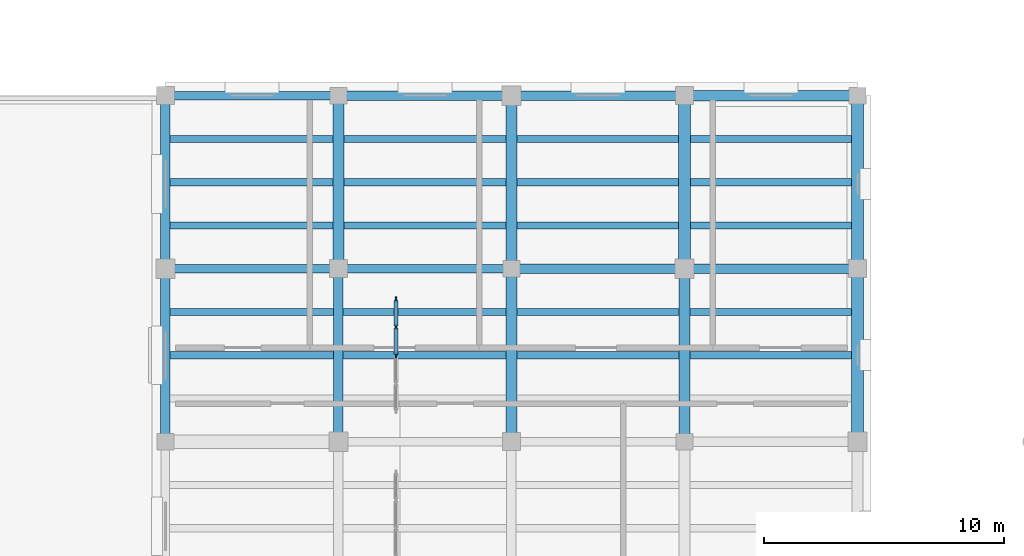
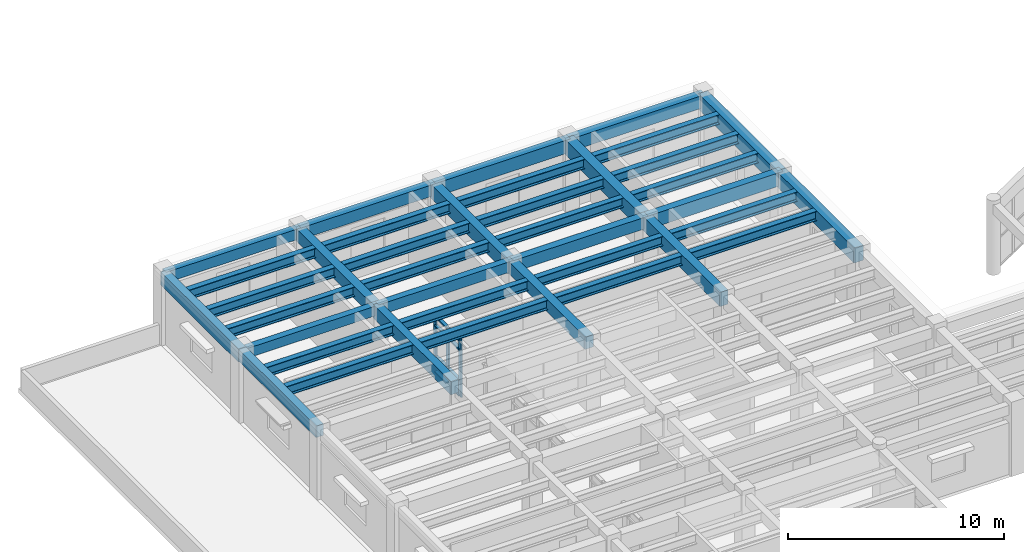
# One storey, part 17 of 76: 38 beams, 11 members, 1 element without a shape of its own.
"""IFC4 building model written with IfcOpenShell, lengths in metres."""

from ifc_helpers import new_model, si_unit, direction, frame, origin, origin_2d, place, context, subcontext, project, spatial, rectangle, i_section, extrude, material, material_profile, profile_set, type_object, element, aggregate, save


model = new_model("IFC4")

# Units and contexts
model_context = context("Model", 3, precision=1e-05, world=origin(), true_north=direction((0.0, 1.0)))
body_context = subcontext(model_context, "Body", "Model", "MODEL_VIEW")
ifc_project = project(units=[si_unit("LENGTHUNIT", "METRE"), si_unit("AREAUNIT", "SQUARE_METRE"), si_unit("VOLUMEUNIT", "CUBIC_METRE"), si_unit("PLANEANGLEUNIT", "RADIAN"), si_unit("MASSUNIT", "GRAM", prefix="KILO")], contexts=[model_context])

# Site, building, storey
site_placement = place(None, origin())
site = spatial("IfcSite", under=ifc_project, at=site_placement, CompositionType="ELEMENT")
building_placement = place(site_placement, origin())
building = spatial("IfcBuilding", under=site, at=building_placement, Name="Mithqara Police Headquarters", CompositionType="ELEMENT")
storey_placement = place(building_placement, frame((0.0, 0.0, 5.39990234375)))
storey = spatial("IfcBuildingStorey", under=building, at=storey_placement, Name="L01", CompositionType="ELEMENT", Elevation=5.39990234375)

# Beams
ifc_material_1 = material(Name="Steel S355JR", Category="steel")
ifc_material_profile_1 = material_profile(ifc_material_1, i_section(OverallWidth=0.300048828125, OverallDepth=0.550048828125, WebThickness=0.014892578125, FlangeThickness=0.029052734375, FilletRadius=0.027099609375, at=origin_2d()), Name="HEB 550")
ifc_profile_set_1 = profile_set([ifc_material_profile_1], Name="Steel S355JR")
beam_type_1 = type_object("IfcBeamType", Name="BEAM HEB550", PredefinedType="BEAM", material=ifc_profile_set_1)
for number, where, z_axis, x_axis, name in (
    (1, (8.0, 96.60009765625, 3.64501953125), (1.0, 0.0, 0.0), (0.0, 1.0, 0.0), "L01 Composite Steel Joist 2-3/P.2"),
    (2, (8.0, 98.39990234375, 3.64501953125), (1.0, 0.0, 0.0), (0.0, 1.0, 0.0), "L01 Composite Steel Joist 2-3/P.3"),
):
    element("IfcBeam", number, at=place(storey_placement, frame(where, z_axis=z_axis, x_axis=x_axis)), inside=storey, type_object=beam_type_1, Name=name, PredefinedType="BEAM", context=body_context, shape_type="SweptSolid", body=[
        extrude(i_section(OverallWidth=0.300048828125, OverallDepth=0.550048828125, WebThickness=0.014892578125, FlangeThickness=0.029052734375, FilletRadius=0.027099609375, at=origin_2d()), origin(), (0.0, 0.0, 1.0), 6.800048828125),
    ])
for number, where, z_axis, x_axis, name in (
    (3, (8.0, 102.0, 3.64501953125), (1.0, 0.0, 0.0), (0.0, 1.0, 0.0), "L01 Composite Steel Joist 2-3/Q.1"),
    (4, (8.0, 103.800048828125, 3.64501953125), (1.0, 0.0, 0.0), (0.0, 1.0, 0.0), "L01 Composite Steel Joist 2-3/Q.2"),
    (5, (8.0, 105.60009765625, 3.64501953125), (1.0, 0.0, 0.0), (0.0, 1.0, 0.0), "L01 Composite Steel Joist 2-3/Q.3"),
):
    element("IfcBeam", number, at=place(storey_placement, frame(where, z_axis=z_axis, x_axis=x_axis)), inside=storey, type_object=beam_type_1, Name=name, PredefinedType="BEAM", context=body_context, shape_type="SweptSolid", body=[
        extrude(i_section(OverallWidth=0.300048828125, OverallDepth=0.550048828125, WebThickness=0.014892578125, FlangeThickness=0.029052734375, FilletRadius=0.027099609375, at=origin_2d()), origin(), (0.0, 0.0, 1.0), 6.77490234375),
    ])
for number, where, z_axis, x_axis, name in (
    (6, (15.199951171875, 96.60009765625, 3.64501953125), (1.0, 0.0, 0.0), (0.0, 1.0, 0.0), "L01 Composite Steel Joist 3-4/P.2"),
    (7, (15.199951171875, 98.39990234375, 3.64501953125), (1.0, 0.0, 0.0), (0.0, 1.0, 0.0), "L01 Composite Steel Joist 3-4/P.3"),
):
    element("IfcBeam", number, at=place(storey_placement, frame(where, z_axis=z_axis, x_axis=x_axis)), inside=storey, type_object=beam_type_1, Name=name, PredefinedType="BEAM", context=body_context, shape_type="SweptSolid", body=[
        extrude(i_section(OverallWidth=0.300048828125, OverallDepth=0.550048828125, WebThickness=0.014892578125, FlangeThickness=0.029052734375, FilletRadius=0.027099609375, at=origin_2d()), origin(), (0.0, 0.0, 1.0), 6.775146484375),
    ])
for number, where, z_axis, x_axis, name in (
    (8, (15.22509765625, 102.0, 3.64501953125), (1.0, 0.0, 0.0), (0.0, 1.0, 0.0), "L01 Composite Steel Joist 3-4/Q.1"),
    (9, (15.22509765625, 103.800048828125, 3.64501953125), (1.0, 0.0, 0.0), (0.0, 1.0, 0.0), "L01 Composite Steel Joist 3-4/Q.2"),
    (10, (15.22509765625, 105.60009765625, 3.64501953125), (1.0, 0.0, 0.0), (0.0, 1.0, 0.0), "L01 Composite Steel Joist 3-4/Q.3"),
    (11, (22.425048828125, 96.60009765625, 3.64501953125), (1.0, 0.0, 0.0), (0.0, 1.0, 0.0), "L01 Composite Steel Joist 4-5/P.2"),
    (12, (22.425048828125, 98.39990234375, 3.64501953125), (1.0, 0.0, 0.0), (0.0, 1.0, 0.0), "L01 Composite Steel Joist 4-5/P.3"),
):
    element("IfcBeam", number, at=place(storey_placement, frame(where, z_axis=z_axis, x_axis=x_axis)), inside=storey, type_object=beam_type_1, Name=name, PredefinedType="BEAM", context=body_context, shape_type="SweptSolid", body=[
        extrude(i_section(OverallWidth=0.300048828125, OverallDepth=0.550048828125, WebThickness=0.014892578125, FlangeThickness=0.029052734375, FilletRadius=0.027099609375, at=origin_2d()), origin(), (0.0, 0.0, 1.0), 6.75),
    ])
for number, where, z_axis, x_axis, name in (
    (13, (22.425048828125, 102.0, 3.64501953125), (1.0, 0.0, 0.0), (0.0, 1.0, 0.0), "L01 Composite Steel Joist 4-5/Q.1"),
    (14, (22.425048828125, 103.800048828125, 3.64501953125), (1.0, 0.0, 0.0), (0.0, 1.0, 0.0), "L01 Composite Steel Joist 4-5/Q.2"),
    (15, (22.425048828125, 105.60009765625, 3.64501953125), (1.0, 0.0, 0.0), (0.0, 1.0, 0.0), "L01 Composite Steel Joist 4-5/Q.3"),
):
    element("IfcBeam", number, at=place(storey_placement, frame(where, z_axis=z_axis, x_axis=x_axis)), inside=storey, type_object=beam_type_1, Name=name, PredefinedType="BEAM", context=body_context, shape_type="SweptSolid", body=[
        extrude(i_section(OverallWidth=0.300048828125, OverallDepth=0.550048828125, WebThickness=0.014892578125, FlangeThickness=0.029052734375, FilletRadius=0.027099609375, at=origin_2d()), origin(), (0.0, 0.0, 1.0), 6.724853515625),
    ])
for number, where, z_axis, x_axis, name in (
    (16, (29.625, 96.60009765625, 3.64501953125), (1.0, 0.0, 0.0), (0.0, 1.0, 0.0), "L01 Composite Steel Joist 5-6/P.2"),
    (17, (29.625, 98.39990234375, 3.64501953125), (1.0, 0.0, 0.0), (0.0, 1.0, 0.0), "L01 Composite Steel Joist 5-6/P.3"),
):
    element("IfcBeam", number, at=place(storey_placement, frame(where, z_axis=z_axis, x_axis=x_axis)), inside=storey, type_object=beam_type_1, Name=name, PredefinedType="BEAM", context=body_context, shape_type="SweptSolid", body=[
        extrude(i_section(OverallWidth=0.300048828125, OverallDepth=0.550048828125, WebThickness=0.014892578125, FlangeThickness=0.029052734375, FilletRadius=0.027099609375, at=origin_2d()), origin(), (0.0, 0.0, 1.0), 6.72509765625),
    ])
for number, where, z_axis, x_axis, name in (
    (18, (29.64990234375, 102.0, 3.64501953125), (1.0, 0.0, 0.0), (0.0, 1.0, 0.0), "L01 Composite Steel Joist 5-6/Q.1"),
    (19, (29.64990234375, 103.800048828125, 3.64501953125), (1.0, 0.0, 0.0), (0.0, 1.0, 0.0), "L01 Composite Steel Joist 5-6/Q.2"),
    (20, (29.64990234375, 105.60009765625, 3.64501953125), (1.0, 0.0, 0.0), (0.0, 1.0, 0.0), "L01 Composite Steel Joist 5-6/Q.3"),
):
    element("IfcBeam", number, at=place(storey_placement, frame(where, z_axis=z_axis, x_axis=x_axis)), inside=storey, type_object=beam_type_1, Name=name, PredefinedType="BEAM", context=body_context, shape_type="SweptSolid", body=[
        extrude(i_section(OverallWidth=0.300048828125, OverallDepth=0.550048828125, WebThickness=0.014892578125, FlangeThickness=0.029052734375, FilletRadius=0.027099609375, at=origin_2d()), origin(), (0.0, 0.0, 1.0), 6.7001953125),
    ])
ifc_material_2 = material(Name="Concrete C40/50", Category="concrete")
ifc_material_profile_2 = material_profile(ifc_material_2, rectangle(XDim=0.35009765625, YDim=0.550048828125, at=origin_2d()), Name="RC 350x550")
ifc_profile_set_2 = profile_set([ifc_material_profile_2], Name="Concrete C40/50")
beam_type_2 = type_object("IfcBeamType", Name="BEAM RC350X550", PredefinedType="BEAM", material=ifc_profile_set_2)
beam_1_placement = place(storey_placement, frame((7.800048828125, 100.199951171875, 3.64501953125), z_axis=(1.0, 0.0, 0.0), x_axis=(0.0, 1.0, 0.0)))
element("IfcBeam", 21, at=beam_1_placement, inside=storey, type_object=beam_type_2, Name="L01 Girder 2-3/Q", PredefinedType="BEAM", context=body_context, shape_type="SweptSolid", body=[
    extrude(rectangle(XDim=0.35009765625, YDim=0.550048828125, at=origin_2d()), origin(), (0.0, 0.0, 1.0), 7.199951171875),
])
ifc_material_profile_3 = material_profile(ifc_material_2, rectangle(XDim=0.35009765625, YDim=0.60009765625, at=origin_2d()), Name="RC 350x600")
ifc_profile_set_3 = profile_set([ifc_material_profile_3], Name="Concrete C40/50")
beam_type_3 = type_object("IfcBeamType", Name="BEAM RC350X600", PredefinedType="BEAM", material=ifc_profile_set_3)
for number, where, z_axis, x_axis, name in (
    (22, (7.800048828125, 107.39990234375, 3.6201171875), (1.0, 0.0, 0.0), (0.0, 1.0, 0.0), "L01 Girder 2-3/R"),
    (23, (15.0, 100.199951171875, 3.6201171875), (1.0, 0.0, 0.0), (0.0, 1.0, 0.0), "L01 Girder 3-4/Q"),
):
    element("IfcBeam", number, at=place(storey_placement, frame(where, z_axis=z_axis, x_axis=x_axis)), inside=storey, type_object=beam_type_3, Name=name, PredefinedType="BEAM", context=body_context, shape_type="SweptSolid", body=[
        extrude(rectangle(XDim=0.35009765625, YDim=0.60009765625, at=origin_2d()), origin(), (0.0, 0.0, 1.0), 7.199951171875),
    ])
ifc_material_profile_4 = material_profile(ifc_material_2, rectangle(XDim=0.39990234375, YDim=0.64990234375, at=origin_2d()), Name="RC 400x650")
ifc_profile_set_4 = profile_set([ifc_material_profile_4], Name="Concrete C40/50")
beam_type_4 = type_object("IfcBeamType", Name="BEAM RC400X650", PredefinedType="BEAM", material=ifc_profile_set_4)
for number, where, z_axis, x_axis, name in (
    (24, (7.800048828125, 93.0, 3.59521484375), (0.0, 1.0, 0.0), (-1.0, 0.0, 0.0), "L01 Girder 2/P-Q"),
    (25, (15.0, 107.39990234375, 3.59521484375), (1.0, 0.0, 0.0), (0.0, 1.0, 0.0), "L01 Girder 3-4/R"),
    (26, (22.199951171875, 100.199951171875, 3.59521484375), (1.0, 0.0, 0.0), (0.0, 1.0, 0.0), "L01 Girder 4-5/Q"),
):
    element("IfcBeam", number, at=place(storey_placement, frame(where, z_axis=z_axis, x_axis=x_axis)), inside=storey, type_object=beam_type_4, Name=name, PredefinedType="BEAM", context=body_context, shape_type="SweptSolid", body=[
        extrude(rectangle(XDim=0.39990234375, YDim=0.64990234375, at=origin_2d()), origin(), (0.0, 0.0, 1.0), 7.199951171875),
    ])
ifc_material_profile_5 = material_profile(ifc_material_2, rectangle(XDim=0.39990234375, YDim=0.75, at=origin_2d()), Name="RC 400x750")
ifc_profile_set_5 = profile_set([ifc_material_profile_5], Name="Concrete C40/50")
beam_type_5 = type_object("IfcBeamType", Name="BEAM RC400X750", PredefinedType="BEAM", material=ifc_profile_set_5)
for number, where, z_axis, x_axis, name in (
    (27, (7.800048828125, 100.199951171875, 3.545166015625), (0.0, 1.0, 0.0), (-1.0, 0.0, 0.0), "L01 Girder 2/Q-R"),
    (28, (15.0, 93.0, 3.545166015625), (0.0, 1.0, 0.0), (-1.0, 0.0, 0.0), "L01 Girder 3/P-Q"),
    (29, (22.199951171875, 107.39990234375, 3.545166015625), (1.0, 0.0, 0.0), (0.0, 1.0, 0.0), "L01 Girder 4-5/R"),
):
    element("IfcBeam", number, at=place(storey_placement, frame(where, z_axis=z_axis, x_axis=x_axis)), inside=storey, type_object=beam_type_5, Name=name, PredefinedType="BEAM", context=body_context, shape_type="SweptSolid", body=[
        extrude(rectangle(XDim=0.39990234375, YDim=0.75, at=origin_2d()), origin(), (0.0, 0.0, 1.0), 7.199951171875),
    ])
beam_2_placement = place(storey_placement, frame((29.39990234375, 100.199951171875, 3.545166015625), z_axis=(1.0, 0.0, 0.0), x_axis=(0.0, 1.0, 0.0)))
element("IfcBeam", 30, at=beam_2_placement, inside=storey, type_object=beam_type_5, Name="L01 Girder 5-6/Q", PredefinedType="BEAM", context=body_context, shape_type="SweptSolid", body=[
    extrude(rectangle(XDim=0.39990234375, YDim=0.75, at=origin_2d()), origin(), (0.0, 0.0, 1.0), 7.2001953125),
])
ifc_material_profile_6 = material_profile(ifc_material_2, rectangle(XDim=0.449951171875, YDim=0.699951171875, at=origin_2d()), Name="RC 450x700")
ifc_profile_set_6 = profile_set([ifc_material_profile_6], Name="Concrete C40/50")
beam_type_6 = type_object("IfcBeamType", Name="BEAM RC450X700", PredefinedType="BEAM", material=ifc_profile_set_6)
for number, where, z_axis, x_axis, name in (
    (31, (15.0, 100.199951171875, 3.570068359375), (0.0, 1.0, 0.0), (-1.0, 0.0, 0.0), "L01 Girder 3/Q-R"),
    (32, (22.199951171875, 93.0, 3.570068359375), (0.0, 1.0, 0.0), (-1.0, 0.0, 0.0), "L01 Girder 4/P-Q"),
):
    element("IfcBeam", number, at=place(storey_placement, frame(where, z_axis=z_axis, x_axis=x_axis)), inside=storey, type_object=beam_type_6, Name=name, PredefinedType="BEAM", context=body_context, shape_type="SweptSolid", body=[
        extrude(rectangle(XDim=0.449951171875, YDim=0.699951171875, at=origin_2d()), origin(), (0.0, 0.0, 1.0), 7.199951171875),
    ])
beam_3_placement = place(storey_placement, frame((29.39990234375, 107.39990234375, 3.570068359375), z_axis=(1.0, 0.0, 0.0), x_axis=(0.0, 1.0, 0.0)))
element("IfcBeam", 33, at=beam_3_placement, inside=storey, type_object=beam_type_6, Name="L01 Girder 5-6/R", PredefinedType="BEAM", context=body_context, shape_type="SweptSolid", body=[
    extrude(rectangle(XDim=0.449951171875, YDim=0.699951171875, at=origin_2d()), origin(), (0.0, 0.0, 1.0), 7.2001953125),
])
ifc_material_profile_7 = material_profile(ifc_material_2, rectangle(XDim=0.449951171875, YDim=0.800048828125, at=origin_2d()), Name="RC 450x800")
ifc_profile_set_7 = profile_set([ifc_material_profile_7], Name="Concrete C40/50")
beam_type_7 = type_object("IfcBeamType", Name="BEAM RC450X800", PredefinedType="BEAM", material=ifc_profile_set_7)
for number, where, z_axis, x_axis, name in (
    (34, (22.199951171875, 100.199951171875, 3.52001953125), (0.0, 1.0, 0.0), (-1.0, 0.0, 0.0), "L01 Girder 4/Q-R"),
    (35, (29.39990234375, 93.0, 3.52001953125), (0.0, 1.0, 0.0), (-1.0, 0.0, 0.0), "L01 Girder 5/P-Q"),
):
    element("IfcBeam", number, at=place(storey_placement, frame(where, z_axis=z_axis, x_axis=x_axis)), inside=storey, type_object=beam_type_7, Name=name, PredefinedType="BEAM", context=body_context, shape_type="SweptSolid", body=[
        extrude(rectangle(XDim=0.449951171875, YDim=0.800048828125, at=origin_2d()), origin(), (0.0, 0.0, 1.0), 7.199951171875),
    ])
ifc_material_profile_8 = material_profile(ifc_material_2, rectangle(XDim=0.5, YDim=0.85009765625, at=origin_2d()), Name="RC 500x850")
ifc_profile_set_8 = profile_set([ifc_material_profile_8], Name="Concrete C40/50")
beam_type_8 = type_object("IfcBeamType", Name="BEAM RC500X850", PredefinedType="BEAM", material=ifc_profile_set_8)
for number, where, z_axis, x_axis, name in (
    (36, (29.39990234375, 100.199951171875, 3.4951171875), (0.0, 1.0, 0.0), (-1.0, 0.0, 0.0), "L01 Girder 5/Q-R"),
    (37, (36.60009765625, 93.0, 3.4951171875), (0.0, 1.0, 0.0), (-1.0, 0.0, 0.0), "L01 Girder 6/P-Q"),
):
    element("IfcBeam", number, at=place(storey_placement, frame(where, z_axis=z_axis, x_axis=x_axis)), inside=storey, type_object=beam_type_8, Name=name, PredefinedType="BEAM", context=body_context, shape_type="SweptSolid", body=[
        extrude(rectangle(XDim=0.5, YDim=0.85009765625, at=origin_2d()), origin(), (0.0, 0.0, 1.0), 7.199951171875),
    ])
ifc_material_3 = material(Name="Concrete C50/60", Category="concrete")
ifc_material_profile_9 = material_profile(ifc_material_3, rectangle(XDim=0.5, YDim=0.89990234375, at=origin_2d()), Name="RC 500x900")
ifc_profile_set_9 = profile_set([ifc_material_profile_9], Name="Concrete C50/60")
beam_type_9 = type_object("IfcBeamType", Name="BEAM RC500X900", PredefinedType="BEAM", material=ifc_profile_set_9)
beam_4_placement = place(storey_placement, frame((36.60009765625, 100.199951171875, 3.47021484375), z_axis=(0.0, 1.0, 0.0), x_axis=(-1.0, 0.0, 0.0)))
element("IfcBeam", 38, at=beam_4_placement, inside=storey, type_object=beam_type_9, Name="L01 Girder 6/Q-R", PredefinedType="BEAM", context=body_context, shape_type="SweptSolid", body=[
    extrude(rectangle(XDim=0.5, YDim=0.89990234375, at=origin_2d()), origin(), (0.0, 0.0, 1.0), 7.199951171875),
])

# Curtain wall, members
ifc_material_4 = material(Name="Bronze anodised aluminium 6063-T6", Category="aluminium")
curtain_wall_type = type_object("IfcCurtainWallType", Name="CURTAIN WALL 4700X3200", PredefinedType="USERDEFINED", material=ifc_material_4)
curtain_wall_placement = place(storey_placement, origin())
curtain_wall = element("IfcCurtainWall", 39, at=curtain_wall_placement, inside=storey, type_object=curtain_wall_type, Name="L01 Unitised Glazing CW-15 (CW-INT-L01-X02-Y13-0)", ObjectType="UNITISED GLAZING", PredefinedType="USERDEFINED")
ifc_material_profile_10 = material_profile(ifc_material_4, rectangle(XDim=0.074951171875, YDim=0.219970703125, at=origin_2d()), Name="CWM 75x220")
ifc_profile_set_10 = profile_set([ifc_material_profile_10], Name="Bronze anodised aluminium 6063-T6")
member_type_1 = type_object("IfcMemberType", Name="CWMULLION 75X220", PredefinedType="MULLION", material=ifc_profile_set_10)
member_1_placement = place(storey_placement, frame((17.39990234375, 96.60009765625, 0.0), z_axis=(0.0, 0.0, 1.0), x_axis=(-1.0, 0.0, 0.0)))
member_1 = element("IfcMember", 40, at=member_1_placement, type_object=member_type_1, Name="CW-15 mullion 3", PredefinedType="MULLION", context=body_context, shape_type="SweptSolid", body=[
    extrude(rectangle(XDim=0.074951171875, YDim=0.219970703125, at=origin_2d()), origin(), (0.0, 0.0, 1.0), 3.2001953125),
])
member_2_placement = place(storey_placement, frame((17.39990234375, 97.77490234375, 0.0), z_axis=(0.0, 0.0, 1.0), x_axis=(-1.0, 0.0, 0.0)))
member_2 = element("IfcMember", 41, at=member_2_placement, type_object=member_type_1, Name="CW-15 mullion 4", PredefinedType="MULLION", context=body_context, shape_type="SweptSolid", body=[
    extrude(rectangle(XDim=0.074951171875, YDim=0.219970703125, at=origin_2d()), origin(), (0.0, 0.0, 1.0), 3.2001953125),
])
member_3_placement = place(storey_placement, frame((17.39990234375, 98.91259765625, 0.0), z_axis=(0.0, 0.0, 1.0), x_axis=(-1.0, 0.0, 0.0)))
member_3 = element("IfcMember", 42, at=member_3_placement, type_object=member_type_1, Name="CW-15 mullion 5", PredefinedType="MULLION", context=body_context, shape_type="SweptSolid", body=[
    extrude(rectangle(XDim=0.074951171875, YDim=0.219970703125, at=origin_2d()), origin(), (0.0, 0.0, 1.0), 3.2001953125),
])
ifc_material_profile_11 = material_profile(ifc_material_4, rectangle(XDim=0.179931640625, YDim=0.074951171875, at=origin_2d()), Name="CWT 180x75")
ifc_profile_set_11 = profile_set([ifc_material_profile_11], Name="Bronze anodised aluminium 6063-T6")
member_type_2 = type_object("IfcMemberType", Name="CWTRANSOM 180X75", PredefinedType="USERDEFINED", material=ifc_profile_set_11)
member_4_placement = place(storey_placement, frame((17.39990234375, 96.637451171875, 0.03759765625), z_axis=(0.0, 1.0, 0.0), x_axis=(-1.0, 0.0, 0.0)))
member_4 = element("IfcMember", 43, at=member_4_placement, type_object=member_type_2, Name="CW-15 transom 3.1", ObjectType="TRANSOM", PredefinedType="USERDEFINED", context=body_context, shape_type="SweptSolid", body=[
    extrude(rectangle(XDim=0.179931640625, YDim=0.074951171875, at=origin_2d()), origin(), (0.0, 0.0, 1.0), 1.10009765625),
])
member_5_placement = place(storey_placement, frame((17.39990234375, 96.637451171875, 0.900146484375), z_axis=(0.0, 1.0, 0.0), x_axis=(-1.0, 0.0, 0.0)))
member_5 = element("IfcMember", 44, at=member_5_placement, type_object=member_type_2, Name="CW-15 transom 3.2", ObjectType="TRANSOM", PredefinedType="USERDEFINED", context=body_context, shape_type="SweptSolid", body=[
    extrude(rectangle(XDim=0.179931640625, YDim=0.074951171875, at=origin_2d()), origin(), (0.0, 0.0, 1.0), 1.10009765625),
])
member_6_placement = place(storey_placement, frame((17.39990234375, 96.637451171875, 2.650146484375), z_axis=(0.0, 1.0, 0.0), x_axis=(-1.0, 0.0, 0.0)))
member_6 = element("IfcMember", 45, at=member_6_placement, type_object=member_type_2, Name="CW-15 transom 3.3", ObjectType="TRANSOM", PredefinedType="USERDEFINED", context=body_context, shape_type="SweptSolid", body=[
    extrude(rectangle(XDim=0.179931640625, YDim=0.074951171875, at=origin_2d()), origin(), (0.0, 0.0, 1.0), 1.10009765625),
])
member_7_placement = place(storey_placement, frame((17.39990234375, 96.637451171875, 3.16259765625), z_axis=(0.0, 1.0, 0.0), x_axis=(-1.0, 0.0, 0.0)))
member_7 = element("IfcMember", 46, at=member_7_placement, type_object=member_type_2, Name="CW-15 transom 3.4", ObjectType="TRANSOM", PredefinedType="USERDEFINED", context=body_context, shape_type="SweptSolid", body=[
    extrude(rectangle(XDim=0.179931640625, YDim=0.074951171875, at=origin_2d()), origin(), (0.0, 0.0, 1.0), 1.10009765625),
])
member_8_placement = place(storey_placement, frame((17.39990234375, 97.8125, 0.03759765625), z_axis=(0.0, 1.0, 0.0), x_axis=(-1.0, 0.0, 0.0)))
member_8 = element("IfcMember", 47, at=member_8_placement, type_object=member_type_2, Name="CW-15 transom 4.1", ObjectType="TRANSOM", PredefinedType="USERDEFINED", context=body_context, shape_type="SweptSolid", body=[
    extrude(rectangle(XDim=0.179931640625, YDim=0.074951171875, at=origin_2d()), origin(), (0.0, 0.0, 1.0), 1.0625),
])
member_9_placement = place(storey_placement, frame((17.39990234375, 97.8125, 0.900146484375), z_axis=(0.0, 1.0, 0.0), x_axis=(-1.0, 0.0, 0.0)))
member_9 = element("IfcMember", 48, at=member_9_placement, type_object=member_type_2, Name="CW-15 transom 4.2", ObjectType="TRANSOM", PredefinedType="USERDEFINED", context=body_context, shape_type="SweptSolid", body=[
    extrude(rectangle(XDim=0.179931640625, YDim=0.074951171875, at=origin_2d()), origin(), (0.0, 0.0, 1.0), 1.0625),
])
member_10_placement = place(storey_placement, frame((17.39990234375, 97.8125, 2.650146484375), z_axis=(0.0, 1.0, 0.0), x_axis=(-1.0, 0.0, 0.0)))
member_10 = element("IfcMember", 49, at=member_10_placement, type_object=member_type_2, Name="CW-15 transom 4.3", ObjectType="TRANSOM", PredefinedType="USERDEFINED", context=body_context, shape_type="SweptSolid", body=[
    extrude(rectangle(XDim=0.179931640625, YDim=0.074951171875, at=origin_2d()), origin(), (0.0, 0.0, 1.0), 1.0625),
])
member_11_placement = place(storey_placement, frame((17.39990234375, 97.8125, 3.16259765625), z_axis=(0.0, 1.0, 0.0), x_axis=(-1.0, 0.0, 0.0)))
member_11 = element("IfcMember", 50, at=member_11_placement, type_object=member_type_2, Name="CW-15 transom 4.4", ObjectType="TRANSOM", PredefinedType="USERDEFINED", context=body_context, shape_type="SweptSolid", body=[
    extrude(rectangle(XDim=0.179931640625, YDim=0.074951171875, at=origin_2d()), origin(), (0.0, 0.0, 1.0), 1.0625),
])
aggregate(curtain_wall, [member_1, member_2, member_3, member_4, member_5, member_6, member_7, member_8, member_9, member_10, member_11])

save(model, "model.ifc")
